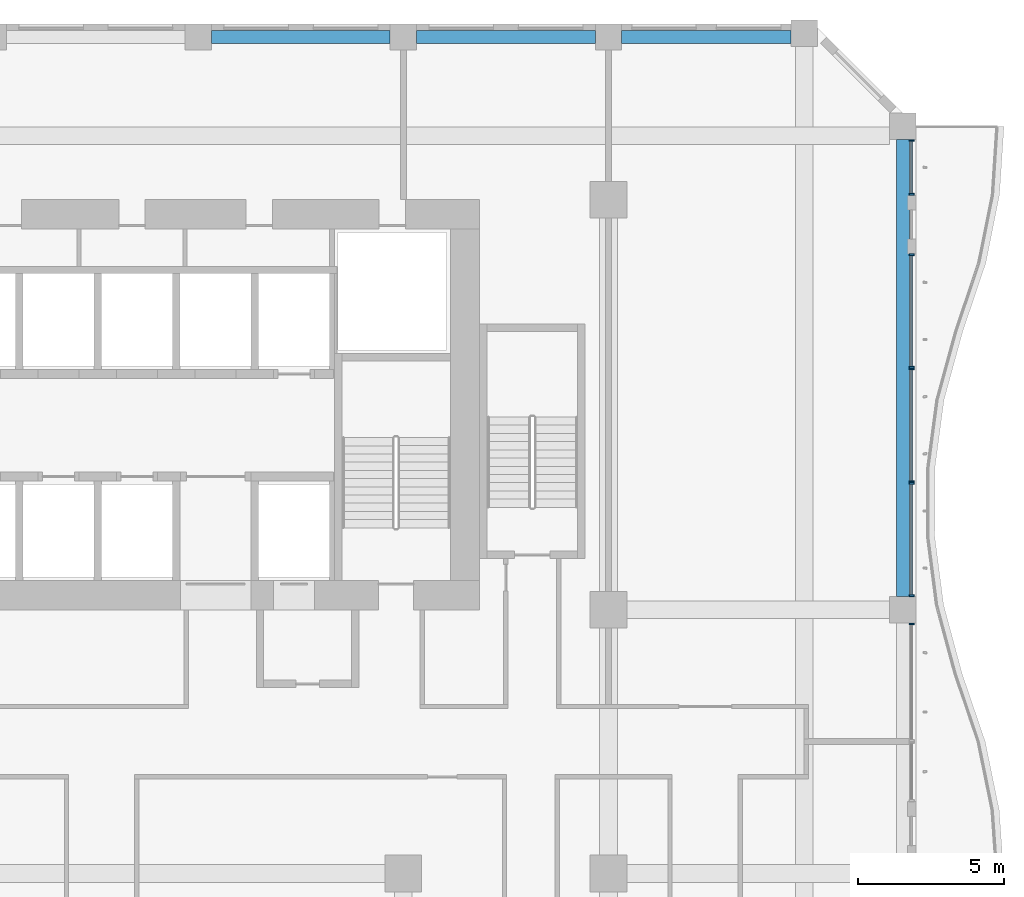
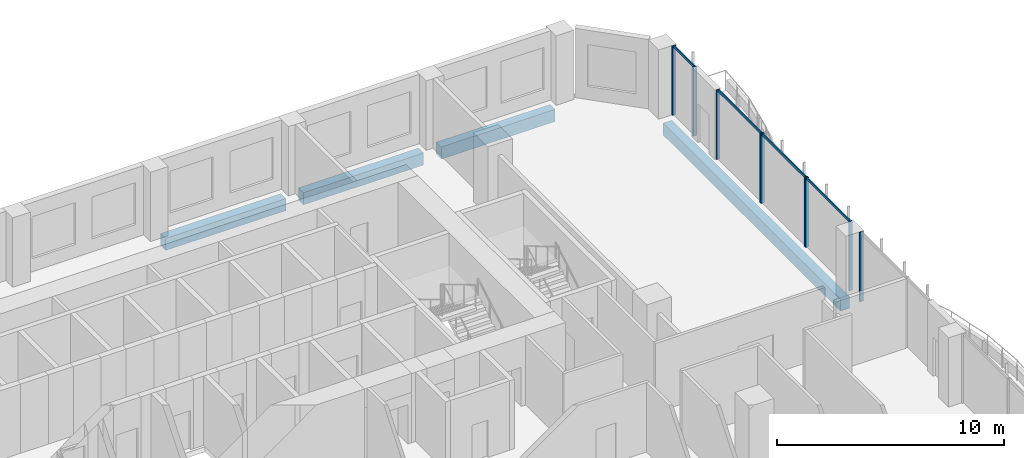
# One storey, part 9 of 26: 13 members, 4 beams, 5 elements without a shape of their own.
"""IFC4 building model written with IfcOpenShell, lengths in metres."""

from ifc_helpers import new_model, si_unit, direction, frame, origin, origin_2d, place, context, subcontext, project, spatial, rectangle, extrude, source, transform, mapped, material, material_profile, profile_set, type_object, element, aggregate, save


model = new_model("IFC4")

# Units and contexts
model_context = context("Model", 3, precision=1e-05, world=origin(), true_north=direction((0.0, 1.0)))
body_context = subcontext(model_context, "Body", "Model", "MODEL_VIEW")
ifc_project = project(units=[si_unit("LENGTHUNIT", "METRE"), si_unit("AREAUNIT", "SQUARE_METRE"), si_unit("VOLUMEUNIT", "CUBIC_METRE"), si_unit("PLANEANGLEUNIT", "RADIAN"), si_unit("MASSUNIT", "GRAM", prefix="KILO")], contexts=[model_context])

# Site, building, storey
site_placement = place(None, origin())
site = spatial("IfcSite", under=ifc_project, at=site_placement, CompositionType="ELEMENT")
building_placement = place(site_placement, origin())
building = spatial("IfcBuilding", under=site, at=building_placement, Name="Kilnfold Tower and Market Hall", CompositionType="ELEMENT")
storey_placement = place(building_placement, frame((0.0, 0.0, 83.199951171875)))
storey = spatial("IfcBuildingStorey", under=building, at=storey_placement, Name="L19", CompositionType="ELEMENT", Elevation=83.199951171875)

# Beams
ifc_material_1 = material(Name="Concrete C45", Category="concrete")
ifc_material_profile_1 = material_profile(ifc_material_1, rectangle(XDim=0.449951171875, YDim=0.64990234375, at=origin_2d()), Name="RC 450x650")
ifc_profile_set_1 = profile_set([ifc_material_profile_1], Name="Concrete C45")
beam_type = type_object("IfcBeamType", Name="EDGE BEAM 450X650 C45", PredefinedType="BEAM", material=ifc_profile_set_1)
shared_shape_1 = source(origin(), body_context, "Body", "SweptSolid", [
    extrude(rectangle(XDim=0.449951171875, YDim=0.64990234375, at=origin_2d()), origin(), (0.0, 0.0, 1.0), 6.10009765625),
])
for number, where, z_axis, x_axis, name in (
    (1, (8.949951171875, 27.550048828125, -0.60498046875), (1.0, 0.0, 0.0), (0.0, 1.0, 0.0), "Beam EB650-B2.79"),
    (2, (15.949951171875, 27.550048828125, -0.60498046875), (1.0, 0.0, 0.0), (0.0, 1.0, 0.0), "Beam EB650-B2.80"),
):
    element("IfcBeam", number, at=place(storey_placement, frame(where, z_axis=z_axis, x_axis=x_axis)), inside=storey, type_object=beam_type, Name=name, PredefinedType="BEAM", context=body_context, shape_type="MappedRepresentation", body=[
        mapped(shared_shape_1, transform((0.0, 0.0, 0.0))),
    ])
shared_shape_2 = source(origin(), body_context, "Body", "SweptSolid", [
    extrude(rectangle(XDim=0.449951171875, YDim=0.64990234375, at=origin_2d()), origin(), (0.0, 0.0, 1.0), 5.78173828125),
])
beam_1_placement = place(storey_placement, frame((22.949951171875, 27.550048828125, -0.60498046875), z_axis=(1.0, 0.0, 0.0), x_axis=(0.0, 1.0, 0.0)))
element("IfcBeam", 3, at=beam_1_placement, inside=storey, type_object=beam_type, Name="Beam EB650-B2.81", PredefinedType="BEAM", context=body_context, shape_type="MappedRepresentation", body=[
    mapped(shared_shape_2, transform((0.0, 0.0, 0.0))),
])
shared_shape_3 = source(origin(), body_context, "Body", "SweptSolid", [
    extrude(rectangle(XDim=0.449951171875, YDim=0.64990234375, at=origin_2d()), origin(), (0.0, 0.0, 1.0), 15.60009765625),
])
beam_2_placement = place(storey_placement, frame((32.550048828125, 8.449951171875, -0.60498046875), z_axis=(0.0, 1.0, 0.0), x_axis=(-1.0, 0.0, 0.0)))
element("IfcBeam", 4, at=beam_2_placement, inside=storey, type_object=beam_type, Name="Beam EB650-B2.103", PredefinedType="BEAM", context=body_context, shape_type="MappedRepresentation", body=[
    mapped(shared_shape_3, transform((0.0, 0.0, 0.0))),
])

# Curtain wall, member
ifc_material_2 = material(Name="Aluminium and double glazing", Category="aluminium")
curtain_wall_type = type_object("IfcCurtainWallType", Name="CW OF1 VALLEY GLAZING", PredefinedType="NOTDEFINED", material=ifc_material_2)
curtain_wall_1_placement = place(storey_placement, origin())
curtain_wall_1 = element("IfcCurtainWall", 5, at=curtain_wall_1_placement, inside=storey, type_object=curtain_wall_type, Name="Curtain wall CW1 L19 E", PredefinedType="NOTDEFINED")
ifc_material_3 = material(Name="Aluminium", Category="aluminium")
ifc_material_profile_2 = material_profile(ifc_material_3, rectangle(XDim=0.06005859375, YDim=0.179931640625, at=origin_2d()), Name="MULLION 60x180")
ifc_profile_set_2 = profile_set([ifc_material_profile_2], Name="Aluminium")
member_type_1 = type_object("IfcMemberType", Name="MULLION 60X180", PredefinedType="MULLION", material=ifc_profile_set_2)
shared_shape_4 = source(origin(), body_context, "Body", "SweptSolid", [
    extrude(rectangle(XDim=0.06005859375, YDim=0.179931640625, at=origin_2d()), origin(), (0.0, 0.0, 1.0), 3.719970703125),
])
member_1_placement = place(storey_placement, frame((32.85009765625, 7.52001953125, 0.0), z_axis=(0.0, 0.0, 1.0), x_axis=(0.0, 1.0, 0.0)))
member_1 = element("IfcMember", 6, at=member_1_placement, type_object=member_type_1, Name="CW1 mullion 2", PredefinedType="MULLION", context=body_context, shape_type="MappedRepresentation", body=[
    mapped(shared_shape_4, transform((0.0, 0.0, 0.0))),
])
aggregate(curtain_wall_1, [member_1])

# Curtain wall, members
curtain_wall_2_placement = place(storey_placement, origin())
curtain_wall_2 = element("IfcCurtainWall", 7, at=curtain_wall_2_placement, inside=storey, type_object=curtain_wall_type, Name="Curtain wall CW1 L19 E", PredefinedType="NOTDEFINED")
member_2_placement = place(storey_placement, frame((32.85009765625, 8.47998046875, 0.0), z_axis=(0.0, 0.0, 1.0), x_axis=(0.0, 1.0, 0.0)))
member_2 = element("IfcMember", 8, at=member_2_placement, type_object=member_type_1, Name="CW1 mullion 1", PredefinedType="MULLION", context=body_context, shape_type="MappedRepresentation", body=[
    mapped(shared_shape_4, transform((0.0, 0.0, 0.0))),
])
member_3_placement = place(storey_placement, frame((32.85009765625, 12.320068359375, 0.0), z_axis=(0.0, 0.0, 1.0), x_axis=(0.0, 1.0, 0.0)))
member_3 = element("IfcMember", 9, at=member_3_placement, type_object=member_type_1, Name="CW1 mullion 2", PredefinedType="MULLION", context=body_context, shape_type="MappedRepresentation", body=[
    mapped(shared_shape_4, transform((0.0, 0.0, 0.0))),
])

curtain_wall_3_placement = place(storey_placement, origin())
curtain_wall_3 = element("IfcCurtainWall", 10, at=curtain_wall_3_placement, inside=storey, type_object=curtain_wall_type, Name="Curtain wall CW1 L19 E", PredefinedType="NOTDEFINED")
member_4_placement = place(storey_placement, frame((32.85009765625, 12.3798828125, 0.0), z_axis=(0.0, 0.0, 1.0), x_axis=(0.0, 1.0, 0.0)))
member_4 = element("IfcMember", 11, at=member_4_placement, type_object=member_type_1, Name="CW1 mullion 1", PredefinedType="MULLION", context=body_context, shape_type="MappedRepresentation", body=[
    mapped(shared_shape_4, transform((0.0, 0.0, 0.0))),
])
member_5_placement = place(storey_placement, frame((32.85009765625, 16.219970703125, 0.0), z_axis=(0.0, 0.0, 1.0), x_axis=(0.0, 1.0, 0.0)))
member_5 = element("IfcMember", 12, at=member_5_placement, type_object=member_type_1, Name="CW1 mullion 2", PredefinedType="MULLION", context=body_context, shape_type="MappedRepresentation", body=[
    mapped(shared_shape_4, transform((0.0, 0.0, 0.0))),
])

curtain_wall_4_placement = place(storey_placement, origin())
curtain_wall_4 = element("IfcCurtainWall", 13, at=curtain_wall_4_placement, inside=storey, type_object=curtain_wall_type, Name="Curtain wall CW1 L19 E", PredefinedType="NOTDEFINED")
member_6_placement = place(storey_placement, frame((32.85009765625, 16.280029296875, 0.0), z_axis=(0.0, 0.0, 1.0), x_axis=(0.0, 1.0, 0.0)))
member_6 = element("IfcMember", 14, at=member_6_placement, type_object=member_type_1, Name="CW1 mullion 1", PredefinedType="MULLION", context=body_context, shape_type="MappedRepresentation", body=[
    mapped(shared_shape_4, transform((0.0, 0.0, 0.0))),
])
member_7_placement = place(storey_placement, frame((32.85009765625, 20.1201171875, 0.0), z_axis=(0.0, 0.0, 1.0), x_axis=(0.0, 1.0, 0.0)))
member_7 = element("IfcMember", 15, at=member_7_placement, type_object=member_type_1, Name="CW1 mullion 2", PredefinedType="MULLION", context=body_context, shape_type="MappedRepresentation", body=[
    mapped(shared_shape_4, transform((0.0, 0.0, 0.0))),
])

curtain_wall_5_placement = place(storey_placement, origin())
curtain_wall_5 = element("IfcCurtainWall", 16, at=curtain_wall_5_placement, inside=storey, type_object=curtain_wall_type, Name="Curtain wall CW1 L19 E", PredefinedType="NOTDEFINED")
member_8_placement = place(storey_placement, frame((32.85009765625, 22.179931640625, 0.0), z_axis=(0.0, 0.0, 1.0), x_axis=(0.0, 1.0, 0.0)))
member_8 = element("IfcMember", 17, at=member_8_placement, type_object=member_type_1, Name="CW1 mullion 1", PredefinedType="MULLION", context=body_context, shape_type="MappedRepresentation", body=[
    mapped(shared_shape_4, transform((0.0, 0.0, 0.0))),
])
member_9_placement = place(storey_placement, frame((32.85009765625, 24.02001953125, 0.0), z_axis=(0.0, 0.0, 1.0), x_axis=(0.0, 1.0, 0.0)))
member_9 = element("IfcMember", 18, at=member_9_placement, type_object=member_type_1, Name="CW1 mullion 2", PredefinedType="MULLION", context=body_context, shape_type="MappedRepresentation", body=[
    mapped(shared_shape_4, transform((0.0, 0.0, 0.0))),
])

# Member
ifc_material_4 = material(Name="Aluminium", Category="aluminium")
ifc_material_profile_3 = material_profile(ifc_material_4, rectangle(XDim=0.06005859375, YDim=0.139892578125, at=origin_2d()), Name="TRANSOM 60x140")
ifc_profile_set_3 = profile_set([ifc_material_profile_3], Name="Aluminium")
member_type_2 = type_object("IfcMemberType", Name="TRANSOM 60X140", PredefinedType="USERDEFINED", material=ifc_profile_set_3)
shared_shape_5 = source(origin(), body_context, "Body", "SweptSolid", [
    extrude(rectangle(XDim=0.06005859375, YDim=0.139892578125, at=origin_2d()), origin(), (0.0, 0.0, 1.0), 3.780029296875),
])
member_10_placement = place(storey_placement, frame((32.85009765625, 8.510009765625, 3.68994140625), z_axis=(0.0, 1.0, 0.0), x_axis=(-1.0, 0.0, 0.0)))
member_10 = element("IfcMember", 19, at=member_10_placement, type_object=member_type_2, Name="CW1 transom 1.2", ObjectType="TRANSOM", PredefinedType="USERDEFINED", context=body_context, shape_type="MappedRepresentation", body=[
    mapped(shared_shape_5, transform((0.0, 0.0, 0.0))),
])

aggregate(curtain_wall_2, [member_2, member_3, member_10])

member_11_placement = place(storey_placement, frame((32.85009765625, 12.409912109375, 3.68994140625), z_axis=(0.0, 1.0, 0.0), x_axis=(-1.0, 0.0, 0.0)))
member_11 = element("IfcMember", 20, at=member_11_placement, type_object=member_type_2, Name="CW1 transom 1.2", ObjectType="TRANSOM", PredefinedType="USERDEFINED", context=body_context, shape_type="MappedRepresentation", body=[
    mapped(shared_shape_5, transform((0.0, 0.0, 0.0))),
])

aggregate(curtain_wall_3, [member_4, member_5, member_11])

member_12_placement = place(storey_placement, frame((32.85009765625, 16.31005859375, 3.68994140625), z_axis=(0.0, 1.0, 0.0), x_axis=(-1.0, 0.0, 0.0)))
member_12 = element("IfcMember", 21, at=member_12_placement, type_object=member_type_2, Name="CW1 transom 1.2", ObjectType="TRANSOM", PredefinedType="USERDEFINED", context=body_context, shape_type="MappedRepresentation", body=[
    mapped(shared_shape_5, transform((0.0, 0.0, 0.0))),
])

aggregate(curtain_wall_4, [member_6, member_7, member_12])

shared_shape_6 = source(origin(), body_context, "Body", "SweptSolid", [
    extrude(rectangle(XDim=0.06005859375, YDim=0.139892578125, at=origin_2d()), origin(), (0.0, 0.0, 1.0), 1.780029296875),
])
member_13_placement = place(storey_placement, frame((32.85009765625, 22.2099609375, 3.68994140625), z_axis=(0.0, 1.0, 0.0), x_axis=(-1.0, 0.0, 0.0)))
member_13 = element("IfcMember", 22, at=member_13_placement, type_object=member_type_2, Name="CW1 transom 1.2", ObjectType="TRANSOM", PredefinedType="USERDEFINED", context=body_context, shape_type="MappedRepresentation", body=[
    mapped(shared_shape_6, transform((0.0, 0.0, 0.0))),
])

aggregate(curtain_wall_5, [member_8, member_9, member_13])

save(model, "model.ifc")
